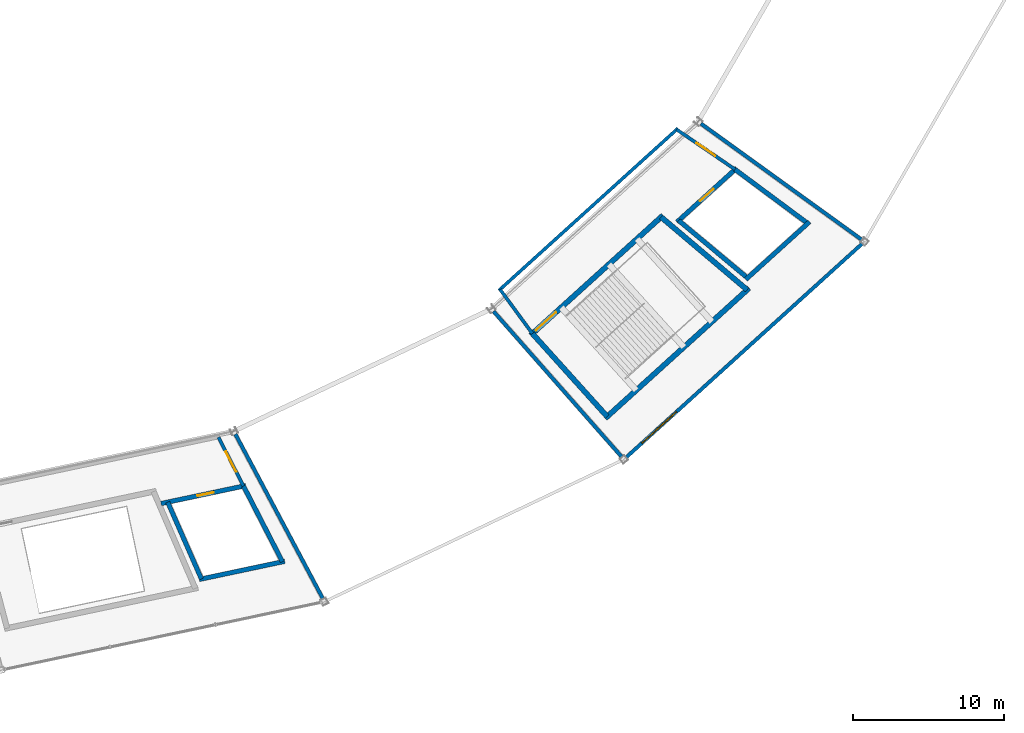
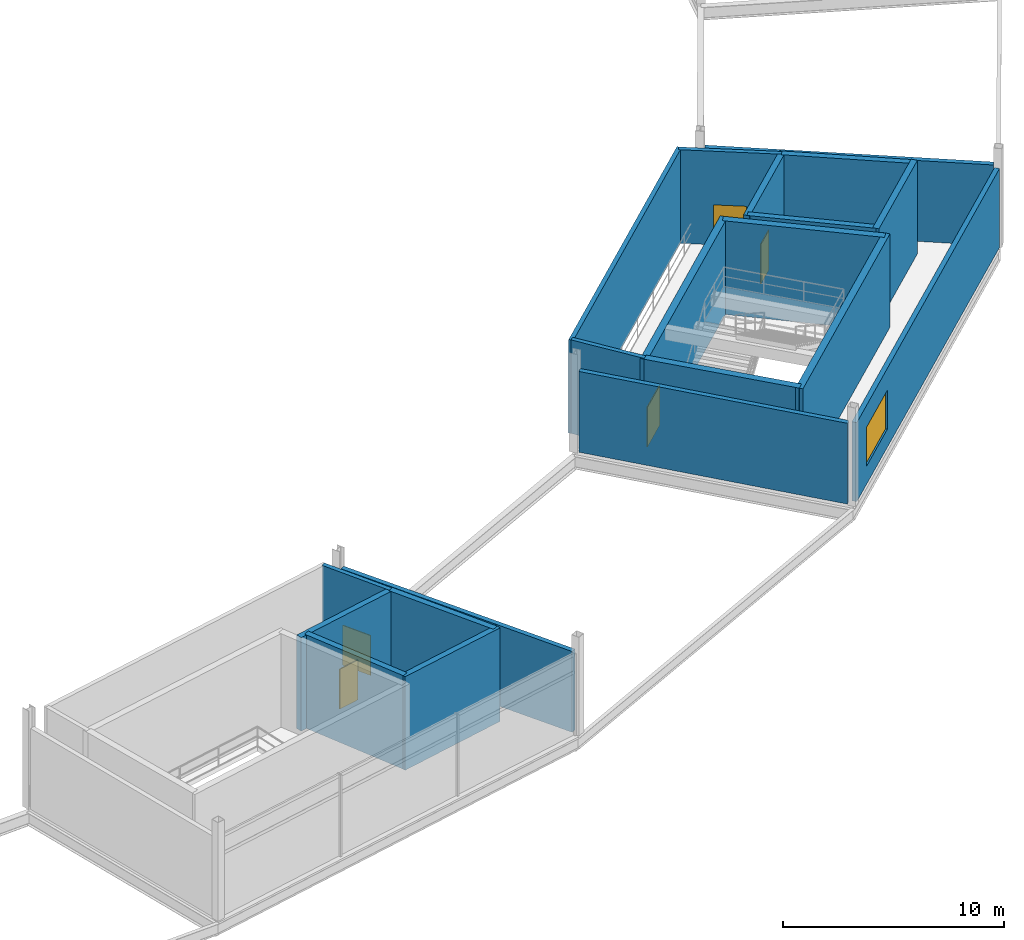
# One storey, part 70 of 86: 20 walls, 5 doors, 1 window, 6 openings.
"""IFC4 building model written with IfcOpenShell, lengths in metres."""

from ifc_helpers import new_model, si_unit, direction, frame, frame_2d, origin, place, context, subcontext, project, spatial, rectangle, extrude, material, layer, layer_set, type_object, element, fill, save


model = new_model("IFC4")

# Units and contexts
model_context = context("Model", 3, precision=1e-05, world=origin(), true_north=direction((0.0, 1.0)))
body_context = subcontext(model_context, "Body", "Model", "MODEL_VIEW")
ifc_project = project(units=[si_unit("LENGTHUNIT", "METRE"), si_unit("AREAUNIT", "SQUARE_METRE"), si_unit("VOLUMEUNIT", "CUBIC_METRE"), si_unit("PLANEANGLEUNIT", "RADIAN"), si_unit("MASSUNIT", "GRAM", prefix="KILO")], contexts=[model_context])

# Site, building, storey
site_placement = place(None, origin())
site = spatial("IfcSite", under=ifc_project, at=site_placement, CompositionType="ELEMENT")
building_placement = place(site_placement, origin())
building = spatial("IfcBuilding", under=site, at=building_placement, Name="Kazemori Nagisa Stadium", CompositionType="ELEMENT")
storey_placement = place(building_placement, frame((0.0, 0.0, 31.280029296875)))
storey = spatial("IfcBuildingStorey", under=building, at=storey_placement, Name="L06", CompositionType="ELEMENT", Elevation=31.280029296875)

# Wall, opening, door
ifc_material_1 = material(Name="Concrete C40/50 (Fc42)", Category="concrete")
ifc_layer_1 = layer(ifc_material_1, 0.35009765625, Name="Concrete C40/50 (Fc42)", Category="concrete")
ifc_layer_set_1 = layer_set([ifc_layer_1], Name="Concrete C40/50 (Fc42)")
wall_type_1 = type_object("IfcWallType", Name="Wall_W-CORE-350", PredefinedType="SHEAR", material=ifc_layer_set_1)
wall_1_placement = place(storey_placement, frame((179.416748046875, 39.139892578125, 0.0), z_axis=(0.0, 0.0, 1.0), x_axis=(0.741348929385, 0.671119784315, 0.0)))
wall_1 = element("IfcWall", 1, at=wall_1_placement, inside=storey, type_object=wall_type_1, Name="Core stair front shear wall ST04 L06", PredefinedType="SHEAR", context=body_context, shape_type="SweptSolid", body=[
    extrude(rectangle(XDim=11.826416015625, YDim=0.35009765625, at=frame_2d((5.9130859375, 0.0))), origin(), (0.0, 0.0, 1.0), 5.159912109375),
])
opening_1_placement = place(wall_1_placement, frame((0.47509765625, 0.0, 0.0)))
opening_1 = element("IfcOpeningElement", 2, at=opening_1_placement, cuts=wall_1, Name="Opening D-ST-1800", PredefinedType="OPENING", context=body_context, shape_type="SweptSolid", body=[
    extrude(rectangle(XDim=1.800048828125, YDim=2.199951171875, at=frame_2d((0.89990234375, 1.10009765625))), frame((0.0, 0.18505859375, 0.0), z_axis=(0.0, -1.0, 0.0), x_axis=(1.0, 0.0, 0.0)), (0.0, 0.0, 1.0), 0.3701171875),
])
ifc_material_2 = material(Name="Galvanised steel sheet", Category="steel")
door_type_1 = type_object("IfcDoorType", Name="Door_D-ST-1800", OperationType="NOTDEFINED", PredefinedType="DOOR", material=ifc_material_2)
door_1_placement = place(opening_1_placement, frame((1.800048828125, 0.0, 0.0), z_axis=(0.0, 0.0, 1.0), x_axis=(-1.0, 0.0, 0.0)))
door_1 = element("IfcDoor", 3, at=door_1_placement, inside=storey, type_object=door_type_1, Name="Exit stair fire door ST04-L06", OperationType="SINGLE_SWING_LEFT", OverallHeight=2.199951171875, OverallWidth=1.800048828125, PredefinedType="DOOR", context=body_context, shape_type="SweptSolid", body=[
    extrude(rectangle(XDim=1.800048828125, YDim=2.199951171875, at=frame_2d((0.89990234375, 1.10009765625))), frame((0.0, 0.02490234375, 0.0), z_axis=(0.0, -1.0, 0.0), x_axis=(1.0, 0.0, 0.0)), (0.0, 0.0, 1.0), 0.050048828125),
])
fill(opening_1, door_1)

# Walls
wall_2_placement = place(storey_placement, frame((184.361328125, 33.6533203125, 0.0), z_axis=(0.0, 0.0, 1.0), x_axis=(0.741351373721, 0.671117084183, 0.0)))
element("IfcWall", 4, at=wall_2_placement, inside=storey, type_object=wall_type_1, Name="Core stair rear shear wall ST04 L06", PredefinedType="SHEAR", context=body_context, shape_type="SweptSolid", body=[
    extrude(rectangle(XDim=12.830322265625, YDim=0.35009765625, at=frame_2d((6.4150390625, 0.0))), origin(), (0.0, 0.0, 1.0), 5.159912109375),
])
wall_3_placement = place(storey_placement, frame((179.54638671875, 39.25732421875, 0.0), z_axis=(0.0, 0.0, 1.0), x_axis=(0.669463145673, -0.742845270958, 0.0)))
element("IfcWall", 5, at=wall_3_placement, inside=storey, type_object=wall_type_1, Name="Core stair left shear wall ST04 L06", PredefinedType="SHEAR", context=body_context, shape_type="SweptSolid", body=[
    extrude(rectangle(XDim=7.385986328125, YDim=0.35009765625, at=frame_2d((3.69287109375, 0.0))), origin(), (0.0, 0.0, 1.0), 5.159912109375),
])
wall_4_placement = place(storey_placement, frame((188.0546875, 46.95947265625, 0.0), z_axis=(0.0, 0.0, 1.0), x_axis=(0.763422324031, -0.64589964791, 0.0)))
element("IfcWall", 6, at=wall_4_placement, inside=storey, type_object=wall_type_1, Name="Core stair right shear wall ST04 L06", PredefinedType="SHEAR", context=body_context, shape_type="SweptSolid", body=[
    extrude(rectangle(XDim=7.45166015625, YDim=0.35009765625, at=frame_2d((3.725830078125, 0.0))), origin(), (0.0, 0.0, 1.0), 5.159912109375),
])

# Wall, opening, window
ifc_material_3 = material(Name="Steel S355 (SN490B)", Category="steel")
ifc_layer_2 = layer(ifc_material_3, 0.239990234375, Name="Steel S355 (SN490B)", Category="steel")
ifc_layer_set_2 = layer_set([ifc_layer_2], Name="Steel S355 (SN490B)")
wall_type_2 = type_object("IfcWallType", Name="Wall_W-EXT-240", PredefinedType="SOLIDWALL", material=ifc_layer_set_2)
wall_5_placement = place(storey_placement, frame((185.746337890625, 31.0751953125, 0.0), z_axis=(0.0, 0.0, 1.0), x_axis=(0.74134637924, 0.671122601309, 0.0)))
wall_5 = element("IfcWall", 7, at=wall_5_placement, inside=storey, type_object=wall_type_2, Name="Exterior facade wall L06-25", PredefinedType="SOLIDWALL", context=body_context, shape_type="SweptSolid", body=[
    extrude(rectangle(XDim=21.0439453125, YDim=0.239990234375, at=frame_2d((10.52197265625, 0.0))), origin(), (0.0, 0.0, 1.0), 4.35791015625),
])
opening_2_placement = place(wall_5_placement, frame((1.39990234375, 0.0, 1.0)))
opening_2 = element("IfcOpeningElement", 8, at=opening_2_placement, cuts=wall_5, Name="Opening WIN-L06-3100", PredefinedType="OPENING", context=body_context, shape_type="SweptSolid", body=[
    extrude(rectangle(XDim=3.10009765625, YDim=2.14990234375, at=frame_2d((1.550048828125, 1.074951171875))), frame((0.0, 0.1298828125, 0.0), z_axis=(0.0, -1.0, 0.0), x_axis=(1.0, 0.0, 0.0)), (0.0, 0.0, 1.0), 0.260009765625),
])
ifc_material_4 = material(Name="Low-e laminated double glazing", Category="glass")
window_type = type_object("IfcWindowType", Name="Window_WIN-L06-3100", PartitioningType="SINGLE_PANEL", PredefinedType="WINDOW", material=ifc_material_4)
window_placement = place(opening_2_placement, origin())
window = element("IfcWindow", 9, at=window_placement, inside=storey, type_object=window_type, Name="Core lobby window L06-25", OverallHeight=2.14990234375, OverallWidth=3.10009765625, PartitioningType="SINGLE_PANEL", PredefinedType="WINDOW", context=body_context, shape_type="SweptSolid", body=[
    extrude(rectangle(XDim=3.10009765625, YDim=2.14990234375, at=frame_2d((1.550048828125, 1.074951171875))), frame((0.0, 0.030029296875, 0.0), z_axis=(0.0, -1.0, 0.0), x_axis=(1.0, 0.0, 0.0)), (0.0, 0.0, 1.0), 0.06005859375),
])
fill(opening_2, window)

# Walls
wall_6_placement = place(storey_placement, frame((159.915283203125, 32.6064453125, 0.0), z_axis=(0.0, 0.0, 1.0), x_axis=(0.469662269939, -0.882846165646, 0.0)))
element("IfcWall", 10, at=wall_6_placement, inside=storey, type_object=wall_type_2, Name="Gondola end facade wall L06-B23R", PredefinedType="SOLIDWALL", context=body_context, shape_type="SweptSolid", body=[
    extrude(rectangle(XDim=12.31982421875, YDim=0.239990234375, at=frame_2d((6.159912109375, 0.0))), origin(), (0.0, 0.0, 1.0), 4.4580078125),
])
wall_7_placement = place(storey_placement, frame((176.979736328125, 40.72412109375, 0.0), z_axis=(0.0, 0.0, 1.0), x_axis=(0.661029266372, -0.750360119542, 0.0)))
element("IfcWall", 11, at=wall_7_placement, inside=storey, type_object=wall_type_2, Name="Gondola end facade wall L06-B25L", PredefinedType="SOLIDWALL", context=body_context, shape_type="SweptSolid", body=[
    extrude(rectangle(XDim=12.817626953125, YDim=0.239990234375, at=frame_2d((6.40869140625, 0.0))), origin(), (0.0, 0.0, 1.0), 4.4580078125),
])
wall_8_placement = place(storey_placement, frame((190.684326171875, 53.136962890625, 0.0), z_axis=(0.0, 0.0, 1.0), x_axis=(0.810798505274, -0.585325365797, 0.0)))
element("IfcWall", 12, at=wall_8_placement, inside=storey, type_object=wall_type_2, Name="Gondola end facade wall L06-B25R", PredefinedType="SOLIDWALL", context=body_context, shape_type="SweptSolid", body=[
    extrude(rectangle(XDim=13.11376953125, YDim=0.239990234375, at=frame_2d((6.556884765625, 0.0))), origin(), (0.0, 0.0, 1.0), 4.4580078125),
])

# Wall, opening, door
ifc_material_5 = material(Name="Concrete C36/45 (Fc36)", Category="concrete")
ifc_layer_3 = layer(ifc_material_5, 0.219970703125, Name="Concrete C36/45 (Fc36)", Category="concrete")
ifc_layer_set_3 = layer_set([ifc_layer_3], Name="Concrete C36/45 (Fc36)")
wall_type_3 = type_object("IfcWallType", Name="Wall_W-LOBBY-220", PredefinedType="SOLIDWALL", material=ifc_layer_set_3)
wall_9_placement = place(storey_placement, frame((158.7919921875, 32.406005859375, 0.0), z_axis=(0.0, 0.0, 1.0), x_axis=(0.457349531643, -0.889287021105, 0.0)))
wall_9 = element("IfcWall", 13, at=wall_9_placement, inside=storey, type_object=wall_type_3, Name="Core lobby right wall ST06 L06", PredefinedType="SOLIDWALL", context=body_context, shape_type="SweptSolid", body=[
    extrude(rectangle(XDim=3.631591796875, YDim=0.219970703125, at=frame_2d((1.81591796875, 0.0))), origin(), (0.0, 0.0, 1.0), 5.159912109375),
])
opening_3_placement = place(wall_9_placement, frame((1.06591796875, 0.0, 0.0)))
opening_3 = element("IfcOpeningElement", 14, at=opening_3_placement, cuts=wall_9, Name="Opening D-FFL-1500", PredefinedType="OPENING", context=body_context, shape_type="SweptSolid", body=[
    extrude(rectangle(XDim=1.5, YDim=2.199951171875, at=frame_2d((0.75, 1.10009765625))), frame((0.0, 0.119873046875, 0.0), z_axis=(0.0, -1.0, 0.0), x_axis=(1.0, 0.0, 0.0)), (0.0, 0.0, 1.0), 0.239990234375),
])
door_type_2 = type_object("IfcDoorType", Name="Door_D-FFL-1500", OperationType="NOTDEFINED", PredefinedType="DOOR", material=ifc_material_2)
door_2_placement = place(opening_3_placement, origin())
door_2 = element("IfcDoor", 15, at=door_2_placement, inside=storey, type_object=door_type_2, Name="Protected lobby fire door ST06-L06", OperationType="DOUBLE_DOOR_SINGLE_SWING", OverallHeight=2.199951171875, OverallWidth=1.5, PredefinedType="DOOR", context=body_context, shape_type="SweptSolid", body=[
    extrude(rectangle(XDim=1.5, YDim=2.199951171875, at=frame_2d((0.75, 1.10009765625))), frame((0.0, 0.02490234375, 0.0), z_axis=(0.0, -1.0, 0.0), x_axis=(1.0, 0.0, 0.0)), (0.0, 0.0, 1.0), 0.050048828125),
])
fill(opening_3, door_2)

# Walls
wall_10_placement = place(storey_placement, frame((177.327392578125, 42.10205078125, 0.0), z_axis=(0.0, 0.0, 1.0), x_axis=(0.741351035574, 0.671117457717, 0.0)))
element("IfcWall", 16, at=wall_10_placement, inside=storey, type_object=wall_type_3, Name="Core lobby fire wall ST04 L06", PredefinedType="SOLIDWALL", context=body_context, shape_type="SweptSolid", body=[
    extrude(rectangle(XDim=15.96923828125, YDim=0.219970703125, at=frame_2d((7.984619140625, 0.0))), origin(), (0.0, 0.0, 1.0), 5.159912109375),
])
wall_11_placement = place(storey_placement, frame((177.408935546875, 42.176025390625, 0.0), z_axis=(0.0, 0.0, 1.0), x_axis=(0.590836915359, -0.806791013491, 0.0)))
element("IfcWall", 17, at=wall_11_placement, inside=storey, type_object=wall_type_3, Name="Core lobby left wall ST04 L06", PredefinedType="SOLIDWALL", context=body_context, shape_type="SweptSolid", body=[
    extrude(rectangle(XDim=3.61767578125, YDim=0.219970703125, at=frame_2d((1.808837890625, 0.0))), origin(), (0.0, 0.0, 1.0), 5.159912109375),
])

# Wall, opening, door
wall_12_placement = place(storey_placement, frame((189.084716796875, 52.74560546875, 0.0), z_axis=(0.0, 0.0, 1.0), x_axis=(0.825385410642, -0.564569680287, 0.0)))
wall_12 = element("IfcWall", 18, at=wall_12_placement, inside=storey, type_object=wall_type_3, Name="Core lobby right wall ST04 L06", PredefinedType="SOLIDWALL", context=body_context, shape_type="SweptSolid", body=[
    extrude(rectangle(XDim=4.673828125, YDim=0.219970703125, at=frame_2d((2.3369140625, 0.0))), origin(), (0.0, 0.0, 1.0), 5.159912109375),
])
opening_4_placement = place(wall_12_placement, frame((1.5869140625, 0.0, 0.0)))
opening_4 = element("IfcOpeningElement", 19, at=opening_4_placement, cuts=wall_12, Name="Opening D-FFL-1500", PredefinedType="OPENING", context=body_context, shape_type="SweptSolid", body=[
    extrude(rectangle(XDim=1.5, YDim=2.199951171875, at=frame_2d((0.75, 1.10009765625))), frame((0.0, 0.119873046875, 0.0), z_axis=(0.0, -1.0, 0.0), x_axis=(1.0, 0.0, 0.0)), (0.0, 0.0, 1.0), 0.239990234375),
])
door_3_placement = place(opening_4_placement, origin())
door_3 = element("IfcDoor", 20, at=door_3_placement, inside=storey, type_object=door_type_2, Name="Protected lobby fire door ST04-L06", OperationType="DOUBLE_DOOR_SINGLE_SWING", OverallHeight=2.199951171875, OverallWidth=1.5, PredefinedType="DOOR", context=body_context, shape_type="SweptSolid", body=[
    extrude(rectangle(XDim=1.5, YDim=2.199951171875, at=frame_2d((0.75, 1.10009765625))), frame((0.0, 0.02490234375, 0.0), z_axis=(0.0, -1.0, 0.0), x_axis=(1.0, 0.0, 0.0)), (0.0, 0.0, 1.0), 0.050048828125),
])
fill(opening_4, door_3)

ifc_layer_4 = layer(ifc_material_1, 0.300048828125, Name="Concrete C40/50 (Fc42)", Category="concrete")
ifc_layer_set_4 = layer_set([ifc_layer_4], Name="Concrete C40/50 (Fc42)")
wall_type_4 = type_object("IfcWallType", Name="Wall_W-SHAFT-300", PredefinedType="SHEAR", material=ifc_layer_set_4)
wall_13_placement = place(storey_placement, frame((154.999267578125, 28.022705078125, 0.0), z_axis=(0.0, 0.0, 1.0), x_axis=(0.978345218992, 0.206979787601, 0.0)))
wall_13 = element("IfcWall", 21, at=wall_13_placement, inside=storey, type_object=wall_type_4, Name="Lift shaft front wall LP2 L06", PredefinedType="SHEAR", context=body_context, shape_type="SweptSolid", body=[
    extrude(rectangle(XDim=5.724365234375, YDim=0.300048828125, at=frame_2d((2.8623046875, 0.0))), origin(), (0.0, 0.0, 1.0), 5.159912109375),
])
opening_5_placement = place(wall_13_placement, frame((2.4619140625, 0.0, 0.0)))
opening_5 = element("IfcOpeningElement", 22, at=opening_5_placement, cuts=wall_13, Name="Opening LD-PAX", PredefinedType="OPENING", context=body_context, shape_type="SweptSolid", body=[
    extrude(rectangle(XDim=1.10009765625, YDim=2.199951171875, at=frame_2d((0.550048828125, 1.10009765625))), frame((0.0, 0.159912109375, 0.0), z_axis=(0.0, -1.0, 0.0), x_axis=(1.0, 0.0, 0.0)), (0.0, 0.0, 1.0), 0.320068359375),
])
ifc_material_6 = material(Name="Stainless steel SUS304", Category="steel")
door_type_3 = type_object("IfcDoorType", Name="Door_LD-PAX", OperationType="SLIDING_TO_RIGHT", PredefinedType="DOOR", material=ifc_material_6)
door_4_placement = place(opening_5_placement, origin())
door_4 = element("IfcDoor", 23, at=door_4_placement, inside=storey, type_object=door_type_3, Name="Lift landing door LP2-L06", OperationType="SLIDING_TO_RIGHT", OverallHeight=2.199951171875, OverallWidth=1.10009765625, PredefinedType="DOOR", context=body_context, shape_type="SweptSolid", body=[
    extrude(rectangle(XDim=1.10009765625, YDim=2.199951171875, at=frame_2d((0.550048828125, 1.10009765625))), frame((0.0, 0.02490234375, 0.0), z_axis=(0.0, -1.0, 0.0), x_axis=(1.0, 0.0, 0.0)), (0.0, 0.0, 1.0), 0.050048828125),
])
fill(opening_5, door_4)

# Walls
wall_14_placement = place(storey_placement, frame((157.522705078125, 23.00634765625, 0.0), z_axis=(0.0, 0.0, 1.0), x_axis=(0.978347069901, 0.206971038591, 0.0)))
element("IfcWall", 24, at=wall_14_placement, inside=storey, type_object=wall_type_4, Name="Lift shaft B wall LP2 L06", PredefinedType="SHEAR", context=body_context, shape_type="SweptSolid", body=[
    extrude(rectangle(XDim=5.7763671875, YDim=0.300048828125, at=frame_2d((2.88818359375, 0.0))), origin(), (0.0, 0.0, 1.0), 5.159912109375),
])
wall_15_placement = place(storey_placement, frame((155.439697265625, 28.115966796875, 0.0), z_axis=(0.0, 0.0, 1.0), x_axis=(0.402005363577, -0.915637312289, 0.0)))
element("IfcWall", 25, at=wall_15_placement, inside=storey, type_object=wall_type_4, Name="Lift shaft L wall LP2 L06", PredefinedType="SHEAR", context=body_context, shape_type="SweptSolid", body=[
    extrude(rectangle(XDim=5.546630859375, YDim=0.300048828125, at=frame_2d((2.7734375, 0.0))), origin(), (0.0, 0.0, 1.0), 5.159912109375),
])
wall_16_placement = place(storey_placement, frame((160.452880859375, 29.176513671875, 0.0), z_axis=(0.0, 0.0, 1.0), x_axis=(0.457368592987, -0.889277217829, 0.0)))
element("IfcWall", 26, at=wall_16_placement, inside=storey, type_object=wall_type_4, Name="Lift shaft R wall LP2 L06", PredefinedType="SHEAR", context=body_context, shape_type="SweptSolid", body=[
    extrude(rectangle(XDim=5.62890625, YDim=0.300048828125, at=frame_2d((2.814453125, 0.0))), origin(), (0.0, 0.0, 1.0), 5.159912109375),
])

# Wall, opening, door
wall_17_placement = place(storey_placement, frame((189.10302734375, 46.631103515625, 0.0), z_axis=(0.0, 0.0, 1.0), x_axis=(0.741350155641, 0.671118429736, 0.0)))
wall_17 = element("IfcWall", 27, at=wall_17_placement, inside=storey, type_object=wall_type_4, Name="Lift shaft front wall FL4 L06", PredefinedType="SHEAR", context=body_context, shape_type="SweptSolid", body=[
    extrude(rectangle(XDim=5.3291015625, YDim=0.300048828125, at=frame_2d((2.66455078125, 0.0))), origin(), (0.0, 0.0, 1.0), 5.159912109375),
])
opening_6_placement = place(wall_17_placement, frame((2.06494140625, 0.0, 0.0)))
opening_6 = element("IfcOpeningElement", 28, at=opening_6_placement, cuts=wall_17, Name="Opening LD-FF", PredefinedType="OPENING", context=body_context, shape_type="SweptSolid", body=[
    extrude(rectangle(XDim=1.199951171875, YDim=2.199951171875, at=frame_2d((0.60009765625, 1.10009765625))), frame((0.0, 0.159912109375, 0.0), z_axis=(0.0, -1.0, 0.0), x_axis=(1.0, 0.0, 0.0)), (0.0, 0.0, 1.0), 0.320068359375),
])
door_type_4 = type_object("IfcDoorType", Name="Door_LD-FF", OperationType="SLIDING_TO_LEFT", PredefinedType="DOOR", material=ifc_material_6)
door_5_placement = place(opening_6_placement, origin())
door_5 = element("IfcDoor", 29, at=door_5_placement, inside=storey, type_object=door_type_4, Name="Lift landing door FL4-L06", OperationType="SLIDING_TO_LEFT", OverallHeight=2.199951171875, OverallWidth=1.199951171875, PredefinedType="DOOR", context=body_context, shape_type="SweptSolid", body=[
    extrude(rectangle(XDim=1.199951171875, YDim=2.199951171875, at=frame_2d((0.60009765625, 1.10009765625))), frame((0.0, 0.02490234375, 0.0), z_axis=(0.0, -1.0, 0.0), x_axis=(1.0, 0.0, 0.0)), (0.0, 0.0, 1.0), 0.050048828125),
])
fill(opening_6, door_5)

# Walls
wall_18_placement = place(storey_placement, frame((193.654296875, 42.832275390625, 0.0), z_axis=(0.0, 0.0, 1.0), x_axis=(0.74134208775, 0.671127341815, 0.0)))
element("IfcWall", 30, at=wall_18_placement, inside=storey, type_object=wall_type_4, Name="Lift shaft B wall FL4 L06", PredefinedType="SHEAR", context=body_context, shape_type="SweptSolid", body=[
    extrude(rectangle(XDim=5.674560546875, YDim=0.300048828125, at=frame_2d((2.83740234375, 0.0))), origin(), (0.0, 0.0, 1.0), 5.159912109375),
])
wall_19_placement = place(storey_placement, frame((189.214111328125, 46.73193359375, 0.0), z_axis=(0.0, 0.0, 1.0), x_axis=(0.767711354146, -0.640795815151, 0.0)))
element("IfcWall", 31, at=wall_19_placement, inside=storey, type_object=wall_type_4, Name="Lift shaft L wall FL4 L06", PredefinedType="SHEAR", context=body_context, shape_type="SweptSolid", body=[
    extrude(rectangle(XDim=5.9287109375, YDim=0.300048828125, at=frame_2d((2.96435546875, 0.0))), origin(), (0.0, 0.0, 1.0), 5.159912109375),
])
wall_20_placement = place(storey_placement, frame((192.9423828125, 50.10693359375, 0.0), z_axis=(0.0, 0.0, 1.0), x_axis=(0.803101805449, -0.59584183311, 0.0)))
element("IfcWall", 32, at=wall_20_placement, inside=storey, type_object=wall_type_4, Name="Lift shaft R wall FL4 L06", PredefinedType="SHEAR", context=body_context, shape_type="SweptSolid", body=[
    extrude(rectangle(XDim=5.986328125, YDim=0.300048828125, at=frame_2d((2.9931640625, 0.0))), origin(), (0.0, 0.0, 1.0), 5.159912109375),
])

save(model, "model.ifc")
